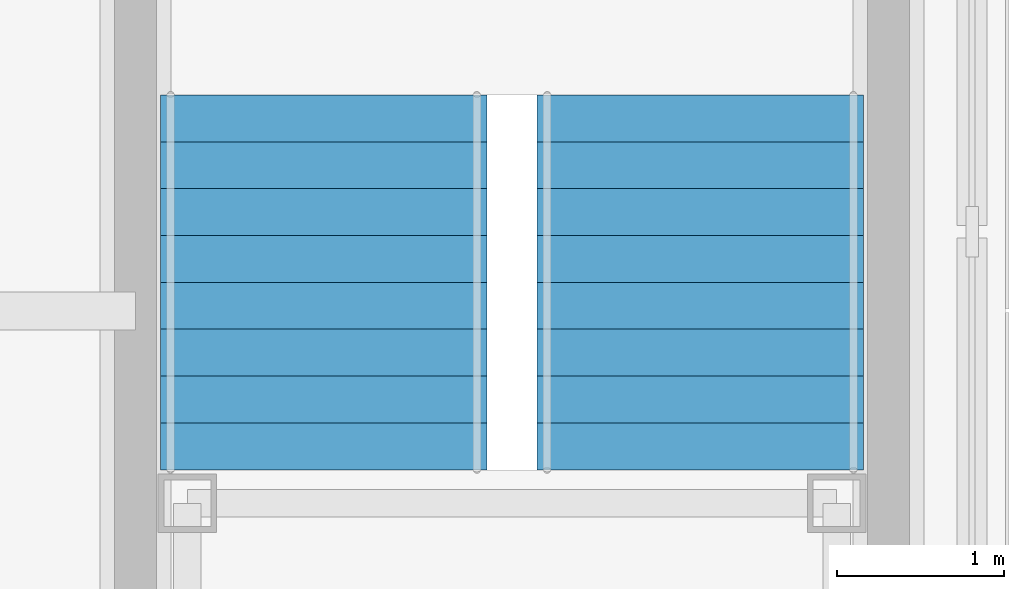
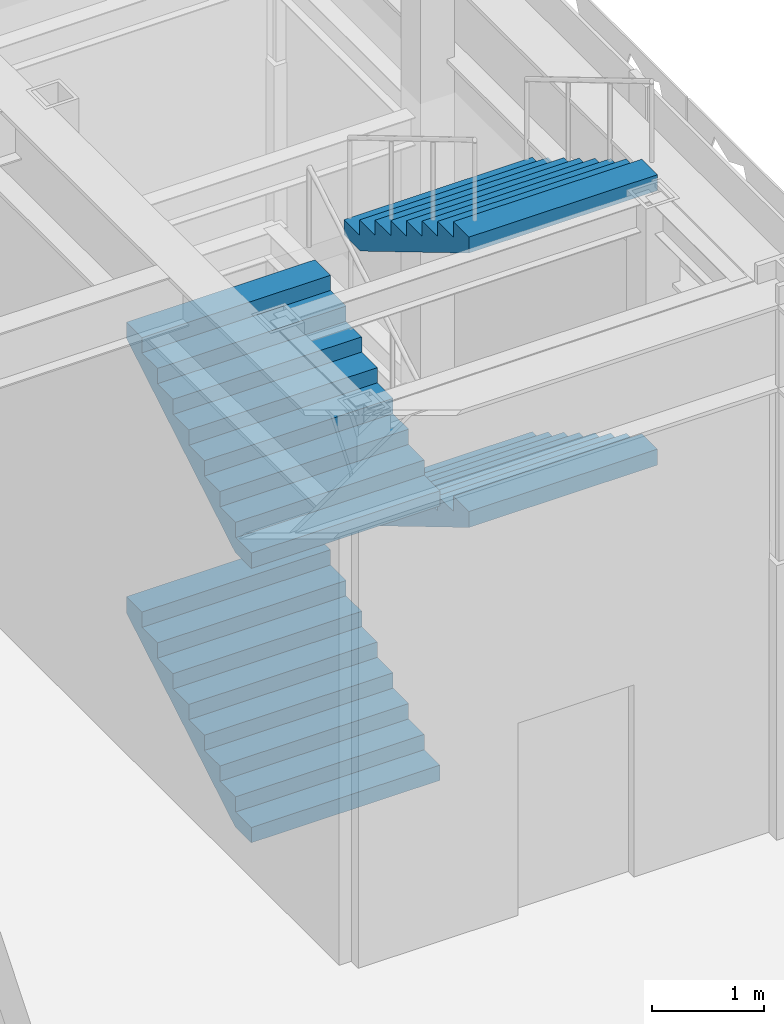
# One storey, part 22 of 32: 4 stair flights, 1 element without a shape of its own.
"""IFC4 building model written with IfcOpenShell, lengths in metres."""

import ifcopenshell
import ifcopenshell.guid

model = None  # the IFC model being written
_history = None  # IfcOwnerHistory: only IFC2X3 demands one
_inside = {}  # id of a spatial element -> (the spatial element, [elements in it])
_under = {}  # id of a project, library or spatial element -> (it, [spatial elements below it])
_declared = {}  # id of a project -> (the project, [libraries it declares])
_typed = {}  # id of a type object -> (the type object, [elements of that type])
_made_of = {}  # id of a material, layer set ... -> (it, [elements and type objects made of it])


def new_model(schema):
    """Start an empty IFC model of exactly this schema.

    Asked for "IFC4X3", IfcOpenShell would pick the latest addendum, in which some entities
    have other attributes; the version numbers below select the first issue.
    IFC2X3 requires an IfcOwnerHistory on every rooted entity: one is made here for all.
    """
    global model, _history
    if schema == "IFC4X3":
        model = ifcopenshell.file(schema_version=(4, 3, 0, 0))
    else:
        model = ifcopenshell.file(schema=schema)
    _inside.clear()
    _under.clear()
    _declared.clear()
    _typed.clear()
    _made_of.clear()
    _history = None
    if model.schema == "IFC2X3":
        org = make("IfcOrganization", Name="unknown")
        user = make(
            "IfcPersonAndOrganization",
            ThePerson=make("IfcPerson", FamilyName="unknown"),
            TheOrganization=org,
        )
        app = make(
            "IfcApplication",
            ApplicationDeveloper=org,
            Version="unknown",
            ApplicationFullName="unknown",
            ApplicationIdentifier="unknown",
        )
        _history = make(
            "IfcOwnerHistory",
            OwningUser=user,
            OwningApplication=app,
            ChangeAction="ADDED",
            CreationDate=0,
        )
    return model


def make(cls, **values):
    """One entity of the class cls with the attributes given. An attribute that is None is left unset."""
    return model.create_entity(
        cls, **{name: value for name, value in values.items() if value is not None}
    )


def rooted(cls, **values):
    """An entity with a GlobalId (a new one), such as an element, a storey or a relation."""
    return make(cls, GlobalId=ifcopenshell.guid.new(), OwnerHistory=_history, **values)


def si_unit(unit_type, name, prefix=None):
    """IfcSIUnit, for example si_unit("LENGTHUNIT", "METRE", prefix="MILLI")."""
    return make("IfcSIUnit", UnitType=unit_type, Prefix=prefix, Name=name)


def assignment(units):
    """IfcUnitAssignment: the units of a project."""
    return None if units is None else make("IfcUnitAssignment", Units=units)


def point(xyz):
    """IfcCartesianPoint."""
    return None if xyz is None else make("IfcCartesianPoint", Coordinates=xyz)


def direction(xyz):
    """IfcDirection."""
    return None if xyz is None else make("IfcDirection", DirectionRatios=xyz)


def frame(location, z_axis=None, x_axis=None):
    """IfcAxis2Placement3D, a coordinate frame: its origin and axes. An axis left out is left unset."""
    return make(
        "IfcAxis2Placement3D",
        Location=point(location),
        Axis=direction(z_axis),
        RefDirection=direction(x_axis),
    )


def origin():
    """The frame at (0, 0, 0) with its axes left unset."""
    return frame((0.0, 0.0, 0.0))


def place(relative_to, where):
    """IfcLocalPlacement: puts the frame where relative to a parent placement (None: the world)."""
    return make(
        "IfcLocalPlacement", PlacementRelTo=relative_to, RelativePlacement=where
    )


def context(
    kind, dimensions, precision=None, world=None, true_north=None, identifier=None
):
    """IfcGeometricRepresentationContext, for example the 3D "Model" context."""
    return make(
        "IfcGeometricRepresentationContext",
        ContextIdentifier=identifier,
        ContextType=kind,
        CoordinateSpaceDimension=dimensions,
        Precision=precision,
        WorldCoordinateSystem=world,
        TrueNorth=true_north,
    )


def subcontext(parent, identifier, kind, view, scale=None):
    """IfcGeometricRepresentationSubContext, for example "Body" below "Model"."""
    return make(
        "IfcGeometricRepresentationSubContext",
        ContextIdentifier=identifier,
        ContextType=kind,
        ParentContext=parent,
        TargetScale=scale,
        TargetView=view,
    )


def project(units=None, contexts=None):
    """IfcProject with its units and contexts."""
    return rooted(
        "IfcProject",
        Name="project",
        RepresentationContexts=contexts,
        UnitsInContext=assignment(units),
    )


def spatial(cls, under=None, at=None, **own):
    """A site, building, storey or space (cls), placed at a placement, below another one or the project."""
    s = rooted(cls, ObjectPlacement=at, **own)
    if under is not None:
        _under.setdefault(under.id(), (under, []))[1].append(s)
    return s


def faces_of(points, faces, orient=None, outer=None):
    """IfcFace entities. A face is a list of loops; a loop is a list of indices into points, from 0.

    orient and outer hold one flag for each loop. By default every Orientation is true, the
    first loop of a face is its IfcFaceOuterBound and the others are IfcFaceBound.
    """
    made = []
    for i, loops in enumerate(faces):
        bounds = []
        for j, loop in enumerate(loops):
            is_outer = j == 0 if outer is None else outer[i][j]
            bounds.append(
                make(
                    "IfcFaceOuterBound" if is_outer else "IfcFaceBound",
                    Bound=make("IfcPolyLoop", Polygon=[points[k] for k in loop]),
                    Orientation=True if orient is None else orient[i][j],
                )
            )
        made.append(make("IfcFace", Bounds=bounds))
    return made


def faceted_brep(points, faces, orient=None, outer=None, voids=None):
    """IfcFacetedBrep: a solid bounded by flat faces; with voids (closed shells), ...WithVoids."""
    shared = [point(p) for p in points]
    hull = make("IfcClosedShell", CfsFaces=faces_of(shared, faces, orient, outer))
    if voids is None:
        return make("IfcFacetedBrep", Outer=hull)
    return make(
        "IfcFacetedBrepWithVoids",
        Outer=hull,
        Voids=[
            make(cls, CfsFaces=faces_of(shared, fs, o, b)) for cls, fs, o, b in voids
        ],
    )


def shape(context_of_items, identifier, shape_type, items):
    """IfcShapeRepresentation: the items that make up one representation, for example the "Body"."""
    return make(
        "IfcShapeRepresentation",
        ContextOfItems=context_of_items,
        RepresentationIdentifier=identifier,
        RepresentationType=shape_type,
        Items=items,
    )


def material(Name=None, Category=None):
    """IfcMaterial."""
    return make("IfcMaterial", Name=Name, Category=Category)


def made_of(thing, what):
    """Note that an element or type object is made of a material, layer set ...; save() writes the relation."""
    if what is not None:
        _made_of.setdefault(what.id(), (what, []))[1].append(thing)
    return thing


def type_object(cls, material=None, **own):
    """A type object (cls), such as IfcWallType, which elements share."""
    return made_of(rooted(cls, **own), material)


def element(
    cls,
    number,
    at=None,
    inside=None,
    cuts=None,
    type_object=None,
    material=None,
    context=None,
    identifier="Body",
    shape_type=None,
    held_by="IfcProductDefinitionShape",
    body=None,
    shapes=None,
    **own,
):
    """One element of the class cls, such as IfcWall. Its Tag is "e" and its number.

    at: its placement. inside: the storey or other place that contains it. cuts: it is an
    opening in that element (IfcRelVoidsElement). A single representation is given by context,
    identifier, shape_type and body (its items); several are given by shapes. held_by: the class
    of the entity that holds the representations. save() writes the other relations.
    """
    e = rooted(cls, Tag="e%d" % number, ObjectPlacement=at, **own)
    if body is not None:
        shapes = [shape(context, identifier, shape_type, body)]
    if shapes is not None:
        e.Representation = make(held_by, Representations=shapes)
    if inside is not None:
        _inside.setdefault(inside.id(), (inside, []))[1].append(e)
    if cuts is not None:
        rooted(
            "IfcRelVoidsElement", RelatingBuildingElement=cuts, RelatedOpeningElement=e
        )
    if type_object is not None:
        _typed.setdefault(type_object.id(), (type_object, []))[1].append(e)
    return made_of(e, material)


def aggregate(whole, parts):
    """IfcRelAggregates: a whole, such as a stair, and the parts it consists of."""
    return rooted("IfcRelAggregates", RelatingObject=whole, RelatedObjects=parts)


def save(model, path):
    """Write the relations noted so far, then the file.

    IfcRelAggregates (storeys below a building ...), IfcRelContainedInSpatialStructure (elements
    in a storey), IfcRelDefinesByType, IfcRelAssociatesMaterial and IfcRelDeclares: one each for
    every whole, place, type object, material and project.
    """
    for whole, parts in _under.values():
        aggregate(whole, parts)
    for where, things in _inside.values():
        rooted(
            "IfcRelContainedInSpatialStructure",
            RelatedElements=things,
            RelatingStructure=where,
        )
    for kind, things in _typed.values():
        rooted("IfcRelDefinesByType", RelatedObjects=things, RelatingType=kind)
    for what, things in _made_of.values():
        rooted("IfcRelAssociatesMaterial", RelatedObjects=things, RelatingMaterial=what)
    for by, libraries in _declared.values():
        rooted("IfcRelDeclares", RelatingContext=by, RelatedDefinitions=libraries)
    model.write(path)


model = new_model("IFC4")

# Units and contexts
model_context = context("Model", 3, precision=1e-05, world=origin(), true_north=direction((0.0, 1.0)))
body_context = subcontext(model_context, "Body", "Model", "MODEL_VIEW")
ifc_project = project(units=[si_unit("LENGTHUNIT", "METRE"), si_unit("AREAUNIT", "SQUARE_METRE"), si_unit("VOLUMEUNIT", "CUBIC_METRE"), si_unit("PLANEANGLEUNIT", "RADIAN"), si_unit("MASSUNIT", "GRAM", prefix="KILO")], contexts=[model_context])

# Site, building, storey
site_placement = place(None, origin())
site = spatial("IfcSite", under=ifc_project, at=site_placement, CompositionType="ELEMENT")
building_placement = place(site_placement, origin())
building = spatial("IfcBuilding", under=site, at=building_placement, Name="Chuquiago Exchange Tower", CompositionType="ELEMENT")
storey_placement = place(building_placement, frame((0.0, 0.0, 13.5)))
storey = spatial("IfcBuildingStorey", under=building, at=storey_placement, Name="L02", CompositionType="ELEMENT", Elevation=13.5)

# Stair, stair flights
ifc_material_1 = material(Name="Concrete C30/37, precast", Category="concrete")
stair_type = type_object("IfcStairType", Name="PS4 double half-turn stair 6000", PredefinedType="DOUBLE_RETURN_STAIR", material=ifc_material_1)
stair_placement = place(storey_placement, origin())
stair = element("IfcStair", 1, at=stair_placement, inside=storey, type_object=stair_type, Name="Stair PS4 L02", PredefinedType="DOUBLE_RETURN_STAIR")
ifc_material_2 = material(Name="Concrete C30/37, precast", Category="concrete")
stair_flight_type = type_object("IfcStairFlightType", Name="ST-F flight 1950 for 6000 storey", PredefinedType="STRAIGHT", material=ifc_material_2)
stair_flight_1_placement = place(storey_placement, frame((50.625, 38.050048828125, 0.0), z_axis=(0.0, 0.0, 1.0), x_axis=(0.0, 1.0, 0.0)))
stair_flight_1 = element("IfcStairFlight", 2, at=stair_flight_1_placement, type_object=stair_flight_type, Name="PS4 flight 1", NumberOfRisers=9, NumberOfTreads=8, PredefinedType="STRAIGHT", RiserHeight=0.166666667, TreadLength=0.28, context=body_context, shape_type="Brep", body=[
    faceted_brep([(0.0, 0.97509765625, 0.0), (0.0, 0.97509765625, 0.166748046875), (0.280029296875, 0.97509765625, 0.166748046875), (0.280029296875, 0.97509765625, 0.333251953125), (0.56005859375, 0.97509765625, 0.333251953125), (0.56005859375, 0.97509765625, 0.5), (0.840087890625, 0.97509765625, 0.5), (0.840087890625, 0.97509765625, 0.666748046875), (1.1201171875, 0.97509765625, 0.666748046875), (1.1201171875, 0.97509765625, 0.833251953125), (1.39990234375, 0.97509765625, 0.833251953125), (1.39990234375, 0.97509765625, 1.0), (1.679931640625, 0.97509765625, 1.0), (1.679931640625, 0.97509765625, 1.166748046875), (1.9599609375, 0.97509765625, 1.166748046875), (1.9599609375, 0.97509765625, 1.333251953125), (2.239990234375, 0.97509765625, 1.333251953125), (2.239990234375, 0.97509765625, 1.158935546875), (0.29296875, 0.97509765625, 0.0), (0.29296875, -0.97509765625, 0.0), (2.239990234375, -0.97509765625, 1.158935546875), (2.239990234375, -0.97509765625, 1.333251953125), (1.9599609375, -0.97509765625, 1.333251953125), (1.9599609375, -0.97509765625, 1.166748046875), (1.679931640625, -0.97509765625, 1.166748046875), (1.679931640625, -0.97509765625, 1.0), (1.39990234375, -0.97509765625, 1.0), (1.39990234375, -0.97509765625, 0.833251953125), (1.1201171875, -0.97509765625, 0.833251953125), (1.1201171875, -0.97509765625, 0.666748046875), (0.840087890625, -0.97509765625, 0.666748046875), (0.840087890625, -0.97509765625, 0.5), (0.56005859375, -0.97509765625, 0.5), (0.56005859375, -0.97509765625, 0.333251953125), (0.280029296875, -0.97509765625, 0.333251953125), (0.280029296875, -0.97509765625, 0.166748046875), (0.0, -0.97509765625, 0.166748046875), (0.0, -0.97509765625, 0.0), (0.0, 0.487548828125, 0.0), (0.0, 0.487548828125, 0.166748046875), (0.0, 0.0, 0.0), (0.0, 0.0, 0.166748046875), (0.0, -0.487548828125, 0.0), (0.0, -0.487548828125, 0.166748046875), (0.280029296875, 0.487548828125, 0.166748046875), (0.280029296875, 0.0, 0.166748046875), (0.280029296875, -0.487548828125, 0.166748046875), (0.280029296875, 0.487548828125, 0.333251953125), (0.280029296875, 0.0, 0.333251953125), (0.280029296875, -0.487548828125, 0.333251953125), (0.56005859375, 0.487548828125, 0.333251953125), (0.56005859375, 0.0, 0.333251953125), (0.56005859375, -0.487548828125, 0.333251953125), (0.56005859375, 0.487548828125, 0.5), (0.56005859375, 0.0, 0.5), (0.56005859375, -0.487548828125, 0.5), (0.840087890625, 0.487548828125, 0.5), (0.840087890625, 0.0, 0.5), (0.840087890625, -0.487548828125, 0.5), (0.840087890625, 0.487548828125, 0.666748046875), (0.840087890625, 0.0, 0.666748046875), (0.840087890625, -0.487548828125, 0.666748046875), (1.1201171875, 0.487548828125, 0.666748046875), (1.1201171875, 0.0, 0.666748046875), (1.1201171875, -0.487548828125, 0.666748046875), (1.1201171875, 0.487548828125, 0.833251953125), (1.1201171875, 0.0, 0.833251953125), (1.1201171875, -0.487548828125, 0.833251953125), (1.39990234375, 0.487548828125, 0.833251953125), (1.39990234375, 0.0, 0.833251953125), (1.39990234375, -0.487548828125, 0.833251953125), (1.39990234375, 0.487548828125, 1.0), (1.39990234375, 0.0, 1.0), (1.39990234375, -0.487548828125, 1.0), (1.679931640625, 0.487548828125, 1.0), (1.679931640625, 0.0, 1.0), (1.679931640625, -0.487548828125, 1.0), (1.679931640625, 0.487548828125, 1.166748046875), (1.679931640625, 0.0, 1.166748046875), (1.679931640625, -0.487548828125, 1.166748046875), (1.9599609375, 0.487548828125, 1.166748046875), (1.9599609375, 0.0, 1.166748046875), (1.9599609375, -0.487548828125, 1.166748046875), (1.9599609375, 0.487548828125, 1.333251953125), (1.9599609375, 0.0, 1.333251953125), (1.9599609375, -0.487548828125, 1.333251953125), (2.239990234375, 0.487548828125, 1.333251953125), (2.239990234375, 0.0, 1.333251953125), (2.239990234375, -0.487548828125, 1.333251953125), (2.239990234375, 0.487548828125, 1.158935546875), (2.239990234375, 0.0, 1.158935546875), (2.239990234375, -0.487548828125, 1.158935546875), (0.29296875, 0.487548828125, 0.0), (0.29296875, 0.0, 0.0), (0.29296875, -0.487548828125, 0.0)], [[[0, 1, 2, 3, 4, 5, 6, 7, 8, 9, 10, 11, 12, 13, 14, 15, 16, 17, 18]], [[19, 20, 21, 22, 23, 24, 25, 26, 27, 28, 29, 30, 31, 32, 33, 34, 35, 36, 37]], [[1, 0, 38, 39]], [[39, 38, 40, 41]], [[41, 40, 42, 43]], [[43, 42, 37, 36]], [[2, 1, 39, 44]], [[44, 39, 41, 45]], [[45, 41, 43, 46]], [[46, 43, 36, 35]], [[3, 2, 44, 47]], [[47, 44, 45, 48]], [[48, 45, 46, 49]], [[49, 46, 35, 34]], [[4, 3, 47, 50]], [[50, 47, 48, 51]], [[51, 48, 49, 52]], [[52, 49, 34, 33]], [[5, 4, 50, 53]], [[53, 50, 51, 54]], [[54, 51, 52, 55]], [[55, 52, 33, 32]], [[6, 5, 53, 56]], [[56, 53, 54, 57]], [[57, 54, 55, 58]], [[58, 55, 32, 31]], [[7, 6, 56, 59]], [[59, 56, 57, 60]], [[60, 57, 58, 61]], [[61, 58, 31, 30]], [[8, 7, 59, 62]], [[62, 59, 60, 63]], [[63, 60, 61, 64]], [[64, 61, 30, 29]], [[9, 8, 62, 65]], [[65, 62, 63, 66]], [[66, 63, 64, 67]], [[67, 64, 29, 28]], [[10, 9, 65, 68]], [[68, 65, 66, 69]], [[69, 66, 67, 70]], [[70, 67, 28, 27]], [[11, 10, 68, 71]], [[71, 68, 69, 72]], [[72, 69, 70, 73]], [[73, 70, 27, 26]], [[12, 11, 71, 74]], [[74, 71, 72, 75]], [[75, 72, 73, 76]], [[76, 73, 26, 25]], [[13, 12, 74, 77]], [[77, 74, 75, 78]], [[78, 75, 76, 79]], [[79, 76, 25, 24]], [[14, 13, 77, 80]], [[80, 77, 78, 81]], [[81, 78, 79, 82]], [[82, 79, 24, 23]], [[15, 14, 80, 83]], [[83, 80, 81, 84]], [[84, 81, 82, 85]], [[85, 82, 23, 22]], [[16, 15, 83, 86]], [[86, 83, 84, 87]], [[87, 84, 85, 88]], [[88, 85, 22, 21]], [[17, 16, 86, 89]], [[89, 86, 87, 90]], [[90, 87, 88, 91]], [[91, 88, 21, 20]], [[18, 17, 89, 92]], [[92, 89, 90, 93]], [[93, 90, 91, 94]], [[94, 91, 20, 19]], [[0, 18, 92, 38]], [[38, 92, 93, 40]], [[40, 93, 94, 42]], [[42, 94, 19, 37]]]),
])
stair_flight_2_placement = place(storey_placement, frame((52.875, 40.2900390625, 1.5), z_axis=(0.0, 0.0, 1.0), x_axis=(0.0, -1.0, 0.0)))
stair_flight_2 = element("IfcStairFlight", 3, at=stair_flight_2_placement, type_object=stair_flight_type, Name="PS4 flight 2", NumberOfRisers=9, NumberOfTreads=8, PredefinedType="STRAIGHT", RiserHeight=0.166666667, TreadLength=0.28, context=body_context, shape_type="Brep", body=[
    faceted_brep([(0.0, 0.97509765625, 0.0), (0.0, 0.97509765625, 0.166748046875), (0.280029296875, 0.97509765625, 0.166748046875), (0.280029296875, 0.97509765625, 0.333251953125), (0.56005859375, 0.97509765625, 0.333251953125), (0.56005859375, 0.97509765625, 0.5), (0.840087890625, 0.97509765625, 0.5), (0.840087890625, 0.97509765625, 0.666748046875), (1.1201171875, 0.97509765625, 0.666748046875), (1.1201171875, 0.97509765625, 0.833251953125), (1.39990234375, 0.97509765625, 0.833251953125), (1.39990234375, 0.97509765625, 1.0), (1.679931640625, 0.97509765625, 1.0), (1.679931640625, 0.97509765625, 1.166748046875), (1.9599609375, 0.97509765625, 1.166748046875), (1.9599609375, 0.97509765625, 1.333251953125), (2.239990234375, 0.97509765625, 1.333251953125), (2.239990234375, 0.97509765625, 1.158935546875), (0.29296875, 0.97509765625, 0.0), (0.29296875, -0.97509765625, 0.0), (2.239990234375, -0.97509765625, 1.158935546875), (2.239990234375, -0.97509765625, 1.333251953125), (1.9599609375, -0.97509765625, 1.333251953125), (1.9599609375, -0.97509765625, 1.166748046875), (1.679931640625, -0.97509765625, 1.166748046875), (1.679931640625, -0.97509765625, 1.0), (1.39990234375, -0.97509765625, 1.0), (1.39990234375, -0.97509765625, 0.833251953125), (1.1201171875, -0.97509765625, 0.833251953125), (1.1201171875, -0.97509765625, 0.666748046875), (0.840087890625, -0.97509765625, 0.666748046875), (0.840087890625, -0.97509765625, 0.5), (0.56005859375, -0.97509765625, 0.5), (0.56005859375, -0.97509765625, 0.333251953125), (0.280029296875, -0.97509765625, 0.333251953125), (0.280029296875, -0.97509765625, 0.166748046875), (0.0, -0.97509765625, 0.166748046875), (0.0, -0.97509765625, 0.0), (0.0, 0.487548828125, 0.0), (0.0, 0.487548828125, 0.166748046875), (0.0, 0.0, 0.0), (0.0, 0.0, 0.166748046875), (0.0, -0.487548828125, 0.0), (0.0, -0.487548828125, 0.166748046875), (0.280029296875, 0.487548828125, 0.166748046875), (0.280029296875, 0.0, 0.166748046875), (0.280029296875, -0.487548828125, 0.166748046875), (0.280029296875, 0.487548828125, 0.333251953125), (0.280029296875, 0.0, 0.333251953125), (0.280029296875, -0.487548828125, 0.333251953125), (0.56005859375, 0.487548828125, 0.333251953125), (0.56005859375, 0.0, 0.333251953125), (0.56005859375, -0.487548828125, 0.333251953125), (0.56005859375, 0.487548828125, 0.5), (0.56005859375, 0.0, 0.5), (0.56005859375, -0.487548828125, 0.5), (0.840087890625, 0.487548828125, 0.5), (0.840087890625, 0.0, 0.5), (0.840087890625, -0.487548828125, 0.5), (0.840087890625, 0.487548828125, 0.666748046875), (0.840087890625, 0.0, 0.666748046875), (0.840087890625, -0.487548828125, 0.666748046875), (1.1201171875, 0.487548828125, 0.666748046875), (1.1201171875, 0.0, 0.666748046875), (1.1201171875, -0.487548828125, 0.666748046875), (1.1201171875, 0.487548828125, 0.833251953125), (1.1201171875, 0.0, 0.833251953125), (1.1201171875, -0.487548828125, 0.833251953125), (1.39990234375, 0.487548828125, 0.833251953125), (1.39990234375, 0.0, 0.833251953125), (1.39990234375, -0.487548828125, 0.833251953125), (1.39990234375, 0.487548828125, 1.0), (1.39990234375, 0.0, 1.0), (1.39990234375, -0.487548828125, 1.0), (1.679931640625, 0.487548828125, 1.0), (1.679931640625, 0.0, 1.0), (1.679931640625, -0.487548828125, 1.0), (1.679931640625, 0.487548828125, 1.166748046875), (1.679931640625, 0.0, 1.166748046875), (1.679931640625, -0.487548828125, 1.166748046875), (1.9599609375, 0.487548828125, 1.166748046875), (1.9599609375, 0.0, 1.166748046875), (1.9599609375, -0.487548828125, 1.166748046875), (1.9599609375, 0.487548828125, 1.333251953125), (1.9599609375, 0.0, 1.333251953125), (1.9599609375, -0.487548828125, 1.333251953125), (2.239990234375, 0.487548828125, 1.333251953125), (2.239990234375, 0.0, 1.333251953125), (2.239990234375, -0.487548828125, 1.333251953125), (2.239990234375, 0.487548828125, 1.158935546875), (2.239990234375, 0.0, 1.158935546875), (2.239990234375, -0.487548828125, 1.158935546875), (0.29296875, 0.487548828125, 0.0), (0.29296875, 0.0, 0.0), (0.29296875, -0.487548828125, 0.0)], [[[0, 1, 2, 3, 4, 5, 6, 7, 8, 9, 10, 11, 12, 13, 14, 15, 16, 17, 18]], [[19, 20, 21, 22, 23, 24, 25, 26, 27, 28, 29, 30, 31, 32, 33, 34, 35, 36, 37]], [[1, 0, 38, 39]], [[39, 38, 40, 41]], [[41, 40, 42, 43]], [[43, 42, 37, 36]], [[2, 1, 39, 44]], [[44, 39, 41, 45]], [[45, 41, 43, 46]], [[46, 43, 36, 35]], [[3, 2, 44, 47]], [[47, 44, 45, 48]], [[48, 45, 46, 49]], [[49, 46, 35, 34]], [[4, 3, 47, 50]], [[50, 47, 48, 51]], [[51, 48, 49, 52]], [[52, 49, 34, 33]], [[5, 4, 50, 53]], [[53, 50, 51, 54]], [[54, 51, 52, 55]], [[55, 52, 33, 32]], [[6, 5, 53, 56]], [[56, 53, 54, 57]], [[57, 54, 55, 58]], [[58, 55, 32, 31]], [[7, 6, 56, 59]], [[59, 56, 57, 60]], [[60, 57, 58, 61]], [[61, 58, 31, 30]], [[8, 7, 59, 62]], [[62, 59, 60, 63]], [[63, 60, 61, 64]], [[64, 61, 30, 29]], [[9, 8, 62, 65]], [[65, 62, 63, 66]], [[66, 63, 64, 67]], [[67, 64, 29, 28]], [[10, 9, 65, 68]], [[68, 65, 66, 69]], [[69, 66, 67, 70]], [[70, 67, 28, 27]], [[11, 10, 68, 71]], [[71, 68, 69, 72]], [[72, 69, 70, 73]], [[73, 70, 27, 26]], [[12, 11, 71, 74]], [[74, 71, 72, 75]], [[75, 72, 73, 76]], [[76, 73, 26, 25]], [[13, 12, 74, 77]], [[77, 74, 75, 78]], [[78, 75, 76, 79]], [[79, 76, 25, 24]], [[14, 13, 77, 80]], [[80, 77, 78, 81]], [[81, 78, 79, 82]], [[82, 79, 24, 23]], [[15, 14, 80, 83]], [[83, 80, 81, 84]], [[84, 81, 82, 85]], [[85, 82, 23, 22]], [[16, 15, 83, 86]], [[86, 83, 84, 87]], [[87, 84, 85, 88]], [[88, 85, 22, 21]], [[17, 16, 86, 89]], [[89, 86, 87, 90]], [[90, 87, 88, 91]], [[91, 88, 21, 20]], [[18, 17, 89, 92]], [[92, 89, 90, 93]], [[93, 90, 91, 94]], [[94, 91, 20, 19]], [[0, 18, 92, 38]], [[38, 92, 93, 40]], [[40, 93, 94, 42]], [[42, 94, 19, 37]]]),
])
stair_flight_3_placement = place(storey_placement, frame((50.625, 38.050048828125, 3.0), z_axis=(0.0, 0.0, 1.0), x_axis=(0.0, 1.0, 0.0)))
stair_flight_3 = element("IfcStairFlight", 4, at=stair_flight_3_placement, type_object=stair_flight_type, Name="PS4 flight 3", NumberOfRisers=9, NumberOfTreads=8, PredefinedType="STRAIGHT", RiserHeight=0.166666667, TreadLength=0.28, context=body_context, shape_type="Brep", body=[
    faceted_brep([(0.0, 0.97509765625, 0.0), (0.0, 0.97509765625, 0.166748046875), (0.280029296875, 0.97509765625, 0.166748046875), (0.280029296875, 0.97509765625, 0.333251953125), (0.56005859375, 0.97509765625, 0.333251953125), (0.56005859375, 0.97509765625, 0.5), (0.840087890625, 0.97509765625, 0.5), (0.840087890625, 0.97509765625, 0.666748046875), (1.1201171875, 0.97509765625, 0.666748046875), (1.1201171875, 0.97509765625, 0.833251953125), (1.39990234375, 0.97509765625, 0.833251953125), (1.39990234375, 0.97509765625, 1.0), (1.679931640625, 0.97509765625, 1.0), (1.679931640625, 0.97509765625, 1.166748046875), (1.9599609375, 0.97509765625, 1.166748046875), (1.9599609375, 0.97509765625, 1.333251953125), (2.239990234375, 0.97509765625, 1.333251953125), (2.239990234375, 0.97509765625, 1.158935546875), (0.29296875, 0.97509765625, 0.0), (0.29296875, -0.97509765625, 0.0), (2.239990234375, -0.97509765625, 1.158935546875), (2.239990234375, -0.97509765625, 1.333251953125), (1.9599609375, -0.97509765625, 1.333251953125), (1.9599609375, -0.97509765625, 1.166748046875), (1.679931640625, -0.97509765625, 1.166748046875), (1.679931640625, -0.97509765625, 1.0), (1.39990234375, -0.97509765625, 1.0), (1.39990234375, -0.97509765625, 0.833251953125), (1.1201171875, -0.97509765625, 0.833251953125), (1.1201171875, -0.97509765625, 0.666748046875), (0.840087890625, -0.97509765625, 0.666748046875), (0.840087890625, -0.97509765625, 0.5), (0.56005859375, -0.97509765625, 0.5), (0.56005859375, -0.97509765625, 0.333251953125), (0.280029296875, -0.97509765625, 0.333251953125), (0.280029296875, -0.97509765625, 0.166748046875), (0.0, -0.97509765625, 0.166748046875), (0.0, -0.97509765625, 0.0), (0.0, 0.487548828125, 0.0), (0.0, 0.487548828125, 0.166748046875), (0.0, 0.0, 0.0), (0.0, 0.0, 0.166748046875), (0.0, -0.487548828125, 0.0), (0.0, -0.487548828125, 0.166748046875), (0.280029296875, 0.487548828125, 0.166748046875), (0.280029296875, 0.0, 0.166748046875), (0.280029296875, -0.487548828125, 0.166748046875), (0.280029296875, 0.487548828125, 0.333251953125), (0.280029296875, 0.0, 0.333251953125), (0.280029296875, -0.487548828125, 0.333251953125), (0.56005859375, 0.487548828125, 0.333251953125), (0.56005859375, 0.0, 0.333251953125), (0.56005859375, -0.487548828125, 0.333251953125), (0.56005859375, 0.487548828125, 0.5), (0.56005859375, 0.0, 0.5), (0.56005859375, -0.487548828125, 0.5), (0.840087890625, 0.487548828125, 0.5), (0.840087890625, 0.0, 0.5), (0.840087890625, -0.487548828125, 0.5), (0.840087890625, 0.487548828125, 0.666748046875), (0.840087890625, 0.0, 0.666748046875), (0.840087890625, -0.487548828125, 0.666748046875), (1.1201171875, 0.487548828125, 0.666748046875), (1.1201171875, 0.0, 0.666748046875), (1.1201171875, -0.487548828125, 0.666748046875), (1.1201171875, 0.487548828125, 0.833251953125), (1.1201171875, 0.0, 0.833251953125), (1.1201171875, -0.487548828125, 0.833251953125), (1.39990234375, 0.487548828125, 0.833251953125), (1.39990234375, 0.0, 0.833251953125), (1.39990234375, -0.487548828125, 0.833251953125), (1.39990234375, 0.487548828125, 1.0), (1.39990234375, 0.0, 1.0), (1.39990234375, -0.487548828125, 1.0), (1.679931640625, 0.487548828125, 1.0), (1.679931640625, 0.0, 1.0), (1.679931640625, -0.487548828125, 1.0), (1.679931640625, 0.487548828125, 1.166748046875), (1.679931640625, 0.0, 1.166748046875), (1.679931640625, -0.487548828125, 1.166748046875), (1.9599609375, 0.487548828125, 1.166748046875), (1.9599609375, 0.0, 1.166748046875), (1.9599609375, -0.487548828125, 1.166748046875), (1.9599609375, 0.487548828125, 1.333251953125), (1.9599609375, 0.0, 1.333251953125), (1.9599609375, -0.487548828125, 1.333251953125), (2.239990234375, 0.487548828125, 1.333251953125), (2.239990234375, 0.0, 1.333251953125), (2.239990234375, -0.487548828125, 1.333251953125), (2.239990234375, 0.487548828125, 1.158935546875), (2.239990234375, 0.0, 1.158935546875), (2.239990234375, -0.487548828125, 1.158935546875), (0.29296875, 0.487548828125, 0.0), (0.29296875, 0.0, 0.0), (0.29296875, -0.487548828125, 0.0)], [[[0, 1, 2, 3, 4, 5, 6, 7, 8, 9, 10, 11, 12, 13, 14, 15, 16, 17, 18]], [[19, 20, 21, 22, 23, 24, 25, 26, 27, 28, 29, 30, 31, 32, 33, 34, 35, 36, 37]], [[1, 0, 38, 39]], [[39, 38, 40, 41]], [[41, 40, 42, 43]], [[43, 42, 37, 36]], [[2, 1, 39, 44]], [[44, 39, 41, 45]], [[45, 41, 43, 46]], [[46, 43, 36, 35]], [[3, 2, 44, 47]], [[47, 44, 45, 48]], [[48, 45, 46, 49]], [[49, 46, 35, 34]], [[4, 3, 47, 50]], [[50, 47, 48, 51]], [[51, 48, 49, 52]], [[52, 49, 34, 33]], [[5, 4, 50, 53]], [[53, 50, 51, 54]], [[54, 51, 52, 55]], [[55, 52, 33, 32]], [[6, 5, 53, 56]], [[56, 53, 54, 57]], [[57, 54, 55, 58]], [[58, 55, 32, 31]], [[7, 6, 56, 59]], [[59, 56, 57, 60]], [[60, 57, 58, 61]], [[61, 58, 31, 30]], [[8, 7, 59, 62]], [[62, 59, 60, 63]], [[63, 60, 61, 64]], [[64, 61, 30, 29]], [[9, 8, 62, 65]], [[65, 62, 63, 66]], [[66, 63, 64, 67]], [[67, 64, 29, 28]], [[10, 9, 65, 68]], [[68, 65, 66, 69]], [[69, 66, 67, 70]], [[70, 67, 28, 27]], [[11, 10, 68, 71]], [[71, 68, 69, 72]], [[72, 69, 70, 73]], [[73, 70, 27, 26]], [[12, 11, 71, 74]], [[74, 71, 72, 75]], [[75, 72, 73, 76]], [[76, 73, 26, 25]], [[13, 12, 74, 77]], [[77, 74, 75, 78]], [[78, 75, 76, 79]], [[79, 76, 25, 24]], [[14, 13, 77, 80]], [[80, 77, 78, 81]], [[81, 78, 79, 82]], [[82, 79, 24, 23]], [[15, 14, 80, 83]], [[83, 80, 81, 84]], [[84, 81, 82, 85]], [[85, 82, 23, 22]], [[16, 15, 83, 86]], [[86, 83, 84, 87]], [[87, 84, 85, 88]], [[88, 85, 22, 21]], [[17, 16, 86, 89]], [[89, 86, 87, 90]], [[90, 87, 88, 91]], [[91, 88, 21, 20]], [[18, 17, 89, 92]], [[92, 89, 90, 93]], [[93, 90, 91, 94]], [[94, 91, 20, 19]], [[0, 18, 92, 38]], [[38, 92, 93, 40]], [[40, 93, 94, 42]], [[42, 94, 19, 37]]]),
])
stair_flight_4_placement = place(storey_placement, frame((52.875, 40.2900390625, 4.5), z_axis=(0.0, 0.0, 1.0), x_axis=(0.0, -1.0, 0.0)))
stair_flight_4 = element("IfcStairFlight", 5, at=stair_flight_4_placement, type_object=stair_flight_type, Name="PS4 flight 4", NumberOfRisers=9, NumberOfTreads=8, PredefinedType="STRAIGHT", RiserHeight=0.166666667, TreadLength=0.28, context=body_context, shape_type="Brep", body=[
    faceted_brep([(0.0, 0.97509765625, 0.0), (0.0, 0.97509765625, 0.166748046875), (0.280029296875, 0.97509765625, 0.166748046875), (0.280029296875, 0.97509765625, 0.333251953125), (0.56005859375, 0.97509765625, 0.333251953125), (0.56005859375, 0.97509765625, 0.5), (0.840087890625, 0.97509765625, 0.5), (0.840087890625, 0.97509765625, 0.666748046875), (1.1201171875, 0.97509765625, 0.666748046875), (1.1201171875, 0.97509765625, 0.833251953125), (1.39990234375, 0.97509765625, 0.833251953125), (1.39990234375, 0.97509765625, 1.0), (1.679931640625, 0.97509765625, 1.0), (1.679931640625, 0.97509765625, 1.166748046875), (1.9599609375, 0.97509765625, 1.166748046875), (1.9599609375, 0.97509765625, 1.333251953125), (2.239990234375, 0.97509765625, 1.333251953125), (2.239990234375, 0.97509765625, 1.158935546875), (0.29296875, 0.97509765625, 0.0), (0.29296875, -0.97509765625, 0.0), (2.239990234375, -0.97509765625, 1.158935546875), (2.239990234375, -0.97509765625, 1.333251953125), (1.9599609375, -0.97509765625, 1.333251953125), (1.9599609375, -0.97509765625, 1.166748046875), (1.679931640625, -0.97509765625, 1.166748046875), (1.679931640625, -0.97509765625, 1.0), (1.39990234375, -0.97509765625, 1.0), (1.39990234375, -0.97509765625, 0.833251953125), (1.1201171875, -0.97509765625, 0.833251953125), (1.1201171875, -0.97509765625, 0.666748046875), (0.840087890625, -0.97509765625, 0.666748046875), (0.840087890625, -0.97509765625, 0.5), (0.56005859375, -0.97509765625, 0.5), (0.56005859375, -0.97509765625, 0.333251953125), (0.280029296875, -0.97509765625, 0.333251953125), (0.280029296875, -0.97509765625, 0.166748046875), (0.0, -0.97509765625, 0.166748046875), (0.0, -0.97509765625, 0.0), (0.0, 0.487548828125, 0.0), (0.0, 0.487548828125, 0.166748046875), (0.0, 0.0, 0.0), (0.0, 0.0, 0.166748046875), (0.0, -0.487548828125, 0.0), (0.0, -0.487548828125, 0.166748046875), (0.280029296875, 0.487548828125, 0.166748046875), (0.280029296875, 0.0, 0.166748046875), (0.280029296875, -0.487548828125, 0.166748046875), (0.280029296875, 0.487548828125, 0.333251953125), (0.280029296875, 0.0, 0.333251953125), (0.280029296875, -0.487548828125, 0.333251953125), (0.56005859375, 0.487548828125, 0.333251953125), (0.56005859375, 0.0, 0.333251953125), (0.56005859375, -0.487548828125, 0.333251953125), (0.56005859375, 0.487548828125, 0.5), (0.56005859375, 0.0, 0.5), (0.56005859375, -0.487548828125, 0.5), (0.840087890625, 0.487548828125, 0.5), (0.840087890625, 0.0, 0.5), (0.840087890625, -0.487548828125, 0.5), (0.840087890625, 0.487548828125, 0.666748046875), (0.840087890625, 0.0, 0.666748046875), (0.840087890625, -0.487548828125, 0.666748046875), (1.1201171875, 0.487548828125, 0.666748046875), (1.1201171875, 0.0, 0.666748046875), (1.1201171875, -0.487548828125, 0.666748046875), (1.1201171875, 0.487548828125, 0.833251953125), (1.1201171875, 0.0, 0.833251953125), (1.1201171875, -0.487548828125, 0.833251953125), (1.39990234375, 0.487548828125, 0.833251953125), (1.39990234375, 0.0, 0.833251953125), (1.39990234375, -0.487548828125, 0.833251953125), (1.39990234375, 0.487548828125, 1.0), (1.39990234375, 0.0, 1.0), (1.39990234375, -0.487548828125, 1.0), (1.679931640625, 0.487548828125, 1.0), (1.679931640625, 0.0, 1.0), (1.679931640625, -0.487548828125, 1.0), (1.679931640625, 0.487548828125, 1.166748046875), (1.679931640625, 0.0, 1.166748046875), (1.679931640625, -0.487548828125, 1.166748046875), (1.9599609375, 0.487548828125, 1.166748046875), (1.9599609375, 0.0, 1.166748046875), (1.9599609375, -0.487548828125, 1.166748046875), (1.9599609375, 0.487548828125, 1.333251953125), (1.9599609375, 0.0, 1.333251953125), (1.9599609375, -0.487548828125, 1.333251953125), (2.239990234375, 0.487548828125, 1.333251953125), (2.239990234375, 0.0, 1.333251953125), (2.239990234375, -0.487548828125, 1.333251953125), (2.239990234375, 0.487548828125, 1.158935546875), (2.239990234375, 0.0, 1.158935546875), (2.239990234375, -0.487548828125, 1.158935546875), (0.29296875, 0.487548828125, 0.0), (0.29296875, 0.0, 0.0), (0.29296875, -0.487548828125, 0.0)], [[[0, 1, 2, 3, 4, 5, 6, 7, 8, 9, 10, 11, 12, 13, 14, 15, 16, 17, 18]], [[19, 20, 21, 22, 23, 24, 25, 26, 27, 28, 29, 30, 31, 32, 33, 34, 35, 36, 37]], [[1, 0, 38, 39]], [[39, 38, 40, 41]], [[41, 40, 42, 43]], [[43, 42, 37, 36]], [[2, 1, 39, 44]], [[44, 39, 41, 45]], [[45, 41, 43, 46]], [[46, 43, 36, 35]], [[3, 2, 44, 47]], [[47, 44, 45, 48]], [[48, 45, 46, 49]], [[49, 46, 35, 34]], [[4, 3, 47, 50]], [[50, 47, 48, 51]], [[51, 48, 49, 52]], [[52, 49, 34, 33]], [[5, 4, 50, 53]], [[53, 50, 51, 54]], [[54, 51, 52, 55]], [[55, 52, 33, 32]], [[6, 5, 53, 56]], [[56, 53, 54, 57]], [[57, 54, 55, 58]], [[58, 55, 32, 31]], [[7, 6, 56, 59]], [[59, 56, 57, 60]], [[60, 57, 58, 61]], [[61, 58, 31, 30]], [[8, 7, 59, 62]], [[62, 59, 60, 63]], [[63, 60, 61, 64]], [[64, 61, 30, 29]], [[9, 8, 62, 65]], [[65, 62, 63, 66]], [[66, 63, 64, 67]], [[67, 64, 29, 28]], [[10, 9, 65, 68]], [[68, 65, 66, 69]], [[69, 66, 67, 70]], [[70, 67, 28, 27]], [[11, 10, 68, 71]], [[71, 68, 69, 72]], [[72, 69, 70, 73]], [[73, 70, 27, 26]], [[12, 11, 71, 74]], [[74, 71, 72, 75]], [[75, 72, 73, 76]], [[76, 73, 26, 25]], [[13, 12, 74, 77]], [[77, 74, 75, 78]], [[78, 75, 76, 79]], [[79, 76, 25, 24]], [[14, 13, 77, 80]], [[80, 77, 78, 81]], [[81, 78, 79, 82]], [[82, 79, 24, 23]], [[15, 14, 80, 83]], [[83, 80, 81, 84]], [[84, 81, 82, 85]], [[85, 82, 23, 22]], [[16, 15, 83, 86]], [[86, 83, 84, 87]], [[87, 84, 85, 88]], [[88, 85, 22, 21]], [[17, 16, 86, 89]], [[89, 86, 87, 90]], [[90, 87, 88, 91]], [[91, 88, 21, 20]], [[18, 17, 89, 92]], [[92, 89, 90, 93]], [[93, 90, 91, 94]], [[94, 91, 20, 19]], [[0, 18, 92, 38]], [[38, 92, 93, 40]], [[40, 93, 94, 42]], [[42, 94, 19, 37]]]),
])
aggregate(stair, [stair_flight_1, stair_flight_2, stair_flight_3, stair_flight_4])

save(model, "model.ifc")
